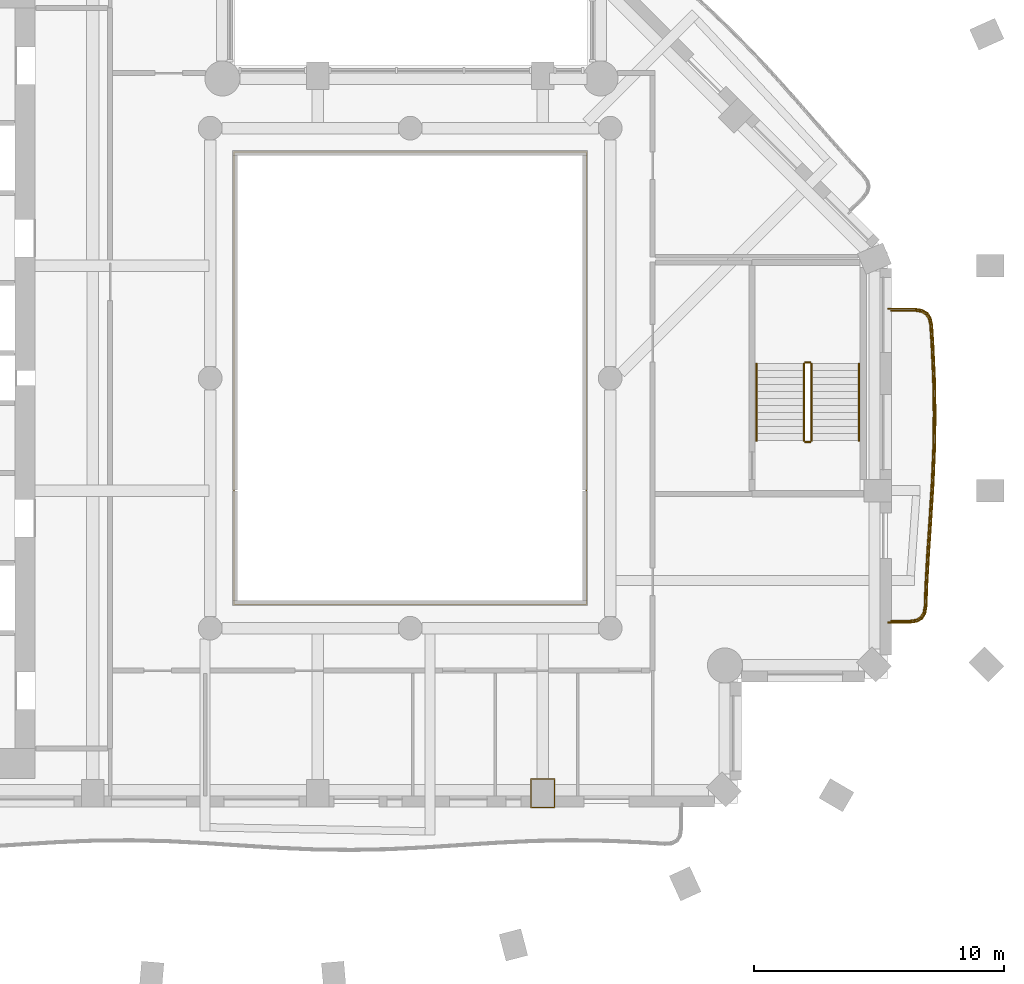
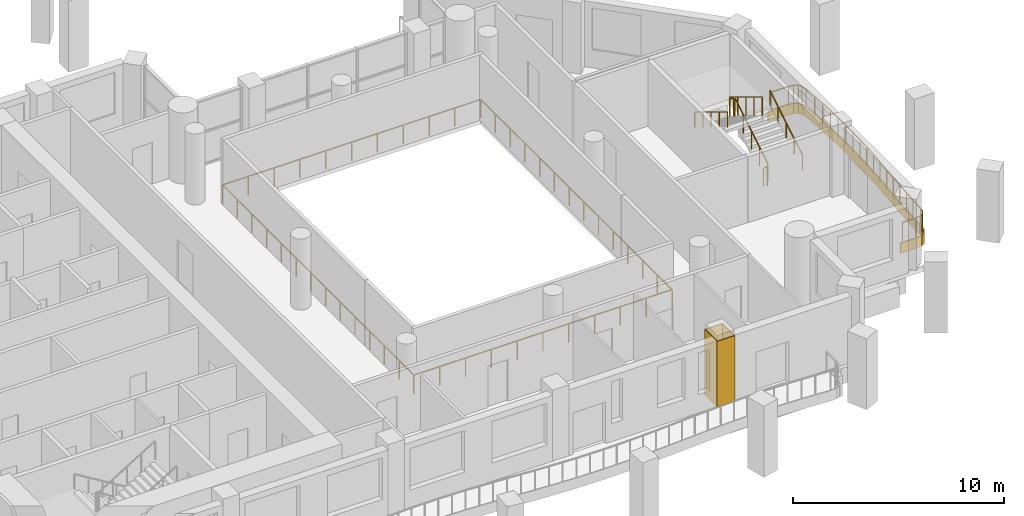
# One storey, part 11 of 13: 8 railings, 2 coverings.
"""IFC4 building model written with IfcOpenShell, lengths in metres."""

from ifc_helpers import new_model, si_unit, direction, frame, origin, origin_2d, place, context, subcontext, project, spatial, polyline, rectangle, outline, extrude, material, layer, layer_set, type_object, element, save


model = new_model("IFC4")

# Units and contexts
model_context = context("Model", 3, precision=1e-05, world=origin(), true_north=direction((0.0, 1.0)))
body_context = subcontext(model_context, "Body", "Model", "MODEL_VIEW")
ifc_project = project(units=[si_unit("LENGTHUNIT", "METRE"), si_unit("AREAUNIT", "SQUARE_METRE"), si_unit("VOLUMEUNIT", "CUBIC_METRE"), si_unit("PLANEANGLEUNIT", "RADIAN"), si_unit("MASSUNIT", "GRAM", prefix="KILO")], contexts=[model_context])

# Site, building, storey
site_placement = place(None, origin())
site = spatial("IfcSite", under=ifc_project, at=site_placement, CompositionType="ELEMENT")
building_placement = place(site_placement, origin())
building = spatial("IfcBuilding", under=site, at=building_placement, Name="Cypress Arch Tower", CompositionType="ELEMENT")
storey_placement = place(building_placement, frame((0.0, 0.0, 209.699951171875)))
storey = spatial("IfcBuildingStorey", under=building, at=storey_placement, Name="L46", CompositionType="ELEMENT", Elevation=209.699951171875)

# Railing
ifc_material_1 = material(Name="Stainless steel posts and handrail, laminated glass infill", Category="steel")
railing_type_1 = type_object("IfcRailingType", Name="Atrium guard GR1100A", PredefinedType="GUARDRAIL", material=ifc_material_1)
railing_1_placement = place(storey_placement, frame((8.050048828125, -9.050048828125, 0.0)))
element("IfcRailing", 1, at=railing_1_placement, inside=storey, type_object=railing_type_1, Name="Atrium guard L46", PredefinedType="GUARDRAIL", context=body_context, shape_type="SweptSolid", body=[
    extrude(rectangle(XDim=0.050048828125, YDim=0.050048828125, at=origin_2d()), frame((0.0, 0.0, 1.0751953125), z_axis=(-1.0, 0.0, 0.0), x_axis=(0.0, -1.0, 0.0)), (0.0, 0.0, 1.0), 14.10009765625),
    extrude(rectangle(XDim=0.050048828125, YDim=0.050048828125, at=origin_2d()), frame((-14.10009765625, 0.0, 1.0751953125), z_axis=(0.0, 1.0, 0.0), x_axis=(-1.0, 0.0, 0.0)), (0.0, 0.0, 1.0), 18.10009765625),
    extrude(rectangle(XDim=0.050048828125, YDim=0.050048828125, at=origin_2d()), frame((-14.10009765625, 18.10009765625, 1.0751953125), z_axis=(1.0, 0.0, 0.0), x_axis=(0.0, 1.0, 0.0)), (0.0, 0.0, 1.0), 14.10009765625),
    extrude(rectangle(XDim=0.050048828125, YDim=0.050048828125, at=origin_2d()), frame((0.0, 18.10009765625, 1.0751953125), z_axis=(0.0, -1.0, 0.0), x_axis=(1.0, 0.0, 0.0)), (0.0, 0.0, 1.0), 18.10009765625),
    extrude(rectangle(XDim=0.050048828125, YDim=0.050048828125, at=origin_2d()), origin(), (0.0, 0.0, 1.0), 1.050048828125),
    extrude(rectangle(XDim=0.050048828125, YDim=0.050048828125, at=origin_2d()), frame((-1.409912109375, 0.0, 0.0)), (0.0, 0.0, 1.0), 1.050048828125),
    extrude(rectangle(XDim=0.050048828125, YDim=0.050048828125, at=origin_2d()), frame((-2.820068359375, 0.0, 0.0)), (0.0, 0.0, 1.0), 1.050048828125),
    extrude(rectangle(XDim=0.050048828125, YDim=0.050048828125, at=origin_2d()), frame((-4.22998046875, 0.0, 0.0)), (0.0, 0.0, 1.0), 1.050048828125),
    extrude(rectangle(XDim=0.050048828125, YDim=0.050048828125, at=origin_2d()), frame((-5.64013671875, 0.0, 0.0)), (0.0, 0.0, 1.0), 1.050048828125),
    extrude(rectangle(XDim=0.050048828125, YDim=0.050048828125, at=origin_2d()), frame((-7.050048828125, 0.0, 0.0)), (0.0, 0.0, 1.0), 1.050048828125),
    extrude(rectangle(XDim=0.050048828125, YDim=0.050048828125, at=origin_2d()), frame((-8.4599609375, 0.0, 0.0)), (0.0, 0.0, 1.0), 1.050048828125),
    extrude(rectangle(XDim=0.050048828125, YDim=0.050048828125, at=origin_2d()), frame((-9.8701171875, 0.0, 0.0)), (0.0, 0.0, 1.0), 1.050048828125),
    extrude(rectangle(XDim=0.050048828125, YDim=0.050048828125, at=origin_2d()), frame((-11.280029296875, 0.0, 0.0)), (0.0, 0.0, 1.0), 1.050048828125),
    extrude(rectangle(XDim=0.050048828125, YDim=0.050048828125, at=origin_2d()), frame((-12.690185546875, 0.0, 0.0)), (0.0, 0.0, 1.0), 1.050048828125),
    extrude(rectangle(XDim=0.050048828125, YDim=0.050048828125, at=origin_2d()), frame((-14.10009765625, 0.0, 0.0)), (0.0, 0.0, 1.0), 1.050048828125),
    extrude(rectangle(XDim=0.050048828125, YDim=0.050048828125, at=origin_2d()), frame((-14.10009765625, 1.392333984375, 0.0)), (0.0, 0.0, 1.0), 1.050048828125),
    extrude(rectangle(XDim=0.050048828125, YDim=0.050048828125, at=origin_2d()), frame((-14.10009765625, 2.78466796875, 0.0)), (0.0, 0.0, 1.0), 1.050048828125),
    extrude(rectangle(XDim=0.050048828125, YDim=0.050048828125, at=origin_2d()), frame((-14.10009765625, 4.177001953125, 0.0)), (0.0, 0.0, 1.0), 1.050048828125),
    extrude(rectangle(XDim=0.050048828125, YDim=0.050048828125, at=origin_2d()), frame((-14.10009765625, 5.5693359375, 0.0)), (0.0, 0.0, 1.0), 1.050048828125),
    extrude(rectangle(XDim=0.050048828125, YDim=0.050048828125, at=origin_2d()), frame((-14.10009765625, 6.961669921875, 0.0)), (0.0, 0.0, 1.0), 1.050048828125),
    extrude(rectangle(XDim=0.050048828125, YDim=0.050048828125, at=origin_2d()), frame((-14.10009765625, 8.35400390625, 0.0)), (0.0, 0.0, 1.0), 1.050048828125),
    extrude(rectangle(XDim=0.050048828125, YDim=0.050048828125, at=origin_2d()), frame((-14.10009765625, 9.74609375, 0.0)), (0.0, 0.0, 1.0), 1.050048828125),
    extrude(rectangle(XDim=0.050048828125, YDim=0.050048828125, at=origin_2d()), frame((-14.10009765625, 11.138427734375, 0.0)), (0.0, 0.0, 1.0), 1.050048828125),
    extrude(rectangle(XDim=0.050048828125, YDim=0.050048828125, at=origin_2d()), frame((-14.10009765625, 12.53076171875, 0.0)), (0.0, 0.0, 1.0), 1.050048828125),
    extrude(rectangle(XDim=0.050048828125, YDim=0.050048828125, at=origin_2d()), frame((-14.10009765625, 13.923095703125, 0.0)), (0.0, 0.0, 1.0), 1.050048828125),
    extrude(rectangle(XDim=0.050048828125, YDim=0.050048828125, at=origin_2d()), frame((-14.10009765625, 15.3154296875, 0.0)), (0.0, 0.0, 1.0), 1.050048828125),
    extrude(rectangle(XDim=0.050048828125, YDim=0.050048828125, at=origin_2d()), frame((-14.10009765625, 16.707763671875, 0.0)), (0.0, 0.0, 1.0), 1.050048828125),
    extrude(rectangle(XDim=0.050048828125, YDim=0.050048828125, at=origin_2d()), frame((-14.10009765625, 18.10009765625, 0.0)), (0.0, 0.0, 1.0), 1.050048828125),
    extrude(rectangle(XDim=0.050048828125, YDim=0.050048828125, at=origin_2d()), frame((-12.690185546875, 18.10009765625, 0.0)), (0.0, 0.0, 1.0), 1.050048828125),
    extrude(rectangle(XDim=0.050048828125, YDim=0.050048828125, at=origin_2d()), frame((-11.280029296875, 18.10009765625, 0.0)), (0.0, 0.0, 1.0), 1.050048828125),
    extrude(rectangle(XDim=0.050048828125, YDim=0.050048828125, at=origin_2d()), frame((-9.8701171875, 18.10009765625, 0.0)), (0.0, 0.0, 1.0), 1.050048828125),
    extrude(rectangle(XDim=0.050048828125, YDim=0.050048828125, at=origin_2d()), frame((-8.4599609375, 18.10009765625, 0.0)), (0.0, 0.0, 1.0), 1.050048828125),
    extrude(rectangle(XDim=0.050048828125, YDim=0.050048828125, at=origin_2d()), frame((-7.050048828125, 18.10009765625, 0.0)), (0.0, 0.0, 1.0), 1.050048828125),
    extrude(rectangle(XDim=0.050048828125, YDim=0.050048828125, at=origin_2d()), frame((-5.64013671875, 18.10009765625, 0.0)), (0.0, 0.0, 1.0), 1.050048828125),
    extrude(rectangle(XDim=0.050048828125, YDim=0.050048828125, at=origin_2d()), frame((-4.22998046875, 18.10009765625, 0.0)), (0.0, 0.0, 1.0), 1.050048828125),
    extrude(rectangle(XDim=0.050048828125, YDim=0.050048828125, at=origin_2d()), frame((-2.820068359375, 18.10009765625, 0.0)), (0.0, 0.0, 1.0), 1.050048828125),
    extrude(rectangle(XDim=0.050048828125, YDim=0.050048828125, at=origin_2d()), frame((-1.409912109375, 18.10009765625, 0.0)), (0.0, 0.0, 1.0), 1.050048828125),
    extrude(rectangle(XDim=0.050048828125, YDim=0.050048828125, at=origin_2d()), frame((0.0, 18.10009765625, 0.0)), (0.0, 0.0, 1.0), 1.050048828125),
    extrude(rectangle(XDim=0.050048828125, YDim=0.050048828125, at=origin_2d()), frame((0.0, 16.707763671875, 0.0)), (0.0, 0.0, 1.0), 1.050048828125),
    extrude(rectangle(XDim=0.050048828125, YDim=0.050048828125, at=origin_2d()), frame((0.0, 15.3154296875, 0.0)), (0.0, 0.0, 1.0), 1.050048828125),
    extrude(rectangle(XDim=0.050048828125, YDim=0.050048828125, at=origin_2d()), frame((0.0, 13.923095703125, 0.0)), (0.0, 0.0, 1.0), 1.050048828125),
    extrude(rectangle(XDim=0.050048828125, YDim=0.050048828125, at=origin_2d()), frame((0.0, 12.53076171875, 0.0)), (0.0, 0.0, 1.0), 1.050048828125),
    extrude(rectangle(XDim=0.050048828125, YDim=0.050048828125, at=origin_2d()), frame((0.0, 11.138427734375, 0.0)), (0.0, 0.0, 1.0), 1.050048828125),
    extrude(rectangle(XDim=0.050048828125, YDim=0.050048828125, at=origin_2d()), frame((0.0, 9.74609375, 0.0)), (0.0, 0.0, 1.0), 1.050048828125),
    extrude(rectangle(XDim=0.050048828125, YDim=0.050048828125, at=origin_2d()), frame((0.0, 8.35400390625, 0.0)), (0.0, 0.0, 1.0), 1.050048828125),
    extrude(rectangle(XDim=0.050048828125, YDim=0.050048828125, at=origin_2d()), frame((0.0, 6.961669921875, 0.0)), (0.0, 0.0, 1.0), 1.050048828125),
    extrude(rectangle(XDim=0.050048828125, YDim=0.050048828125, at=origin_2d()), frame((0.0, 5.5693359375, 0.0)), (0.0, 0.0, 1.0), 1.050048828125),
    extrude(rectangle(XDim=0.050048828125, YDim=0.050048828125, at=origin_2d()), frame((0.0, 4.177001953125, 0.0)), (0.0, 0.0, 1.0), 1.050048828125),
    extrude(rectangle(XDim=0.050048828125, YDim=0.050048828125, at=origin_2d()), frame((0.0, 2.78466796875, 0.0)), (0.0, 0.0, 1.0), 1.050048828125),
    extrude(rectangle(XDim=0.050048828125, YDim=0.050048828125, at=origin_2d()), frame((0.0, 1.392333984375, 0.0)), (0.0, 0.0, 1.0), 1.050048828125),
])

# Covering
ifc_material_2 = material(Name="White powder-coated aluminium fascia", Category="aluminium")
ifc_layer_1 = layer(ifc_material_2, 0.050048828125)
ifc_layer_set_1 = layer_set([ifc_layer_1], Name="Balcony fascia BF50")
covering_type_1 = type_object("IfcCoveringType", Name="Balcony fascia BF50", PredefinedType="CLADDING", material=ifc_layer_set_1)
covering_1_placement = place(storey_placement, frame((0.0, 0.0, -0.599853515625)))
element("IfcCovering", 2, at=covering_1_placement, inside=storey, type_object=covering_type_1, Name="Balcony fascia L46-B04", PredefinedType="CLADDING", context=body_context, shape_type="SweptSolid", body=[
    extrude(outline(polyline([(21.187744140625, 2.800048828125), (21.477294921875, 2.759033203125), (21.698974609375, 2.631103515625), (21.840576171875, 2.41796875), (21.899658203125, 2.131591796875), (21.948486328125, 1.36376953125), (22.01220703125, -0.026123046875), (22.037109375, -1.41650390625), (22.017578125, -2.806884765625), (21.957763671875, -4.197021484375), (21.87158203125, -5.58642578125), (21.779052734375, -6.975341796875), (21.701416015625, -8.36328125), (21.6767578125, -9.130126953125), (21.62646484375, -9.416748046875), (21.4912109375, -9.630615234375), (21.27294921875, -9.759033203125), (20.98486328125, -9.800048828125), (20.10107421875, -9.800048828125), (20.10107421875, -9.75), (20.981201171875, -9.75), (21.256103515625, -9.7109375), (21.455322265625, -9.59375), (21.578857421875, -9.3984375), (21.626708984375, -9.125), (21.651611328125, -8.361083984375), (21.729248046875, -6.97216796875), (21.82177734375, -5.583251953125), (21.90771484375, -4.1943359375), (21.967529296875, -2.8056640625), (21.987060546875, -1.416748046875), (21.962158203125, -0.02783203125), (21.8984375, 1.361083984375), (21.85009765625, 2.125), (21.793701171875, 2.3984375), (21.663818359375, 2.59375), (21.460693359375, 2.7109375), (21.184326171875, 2.75), (20.10107421875, 2.75), (20.10107421875, 2.800048828125), (21.187744140625, 2.800048828125)])), origin(), (0.0, 0.0, 1.0), 0.599853515625),
])

# Railing
ifc_material_3 = material(Name="Powder-coated steel posts and rods, 100 mm clear between rods", Category="steel")
railing_type_2 = type_object("IfcRailingType", Name="Balcony guard GR1100", PredefinedType="GUARDRAIL", material=ifc_material_3)
railing_2_placement = place(storey_placement, frame((20.25, 2.699951171875, 0.0)))
element("IfcRailing", 3, at=railing_2_placement, inside=storey, type_object=railing_type_2, Name="Balcony guard L46-B04", PredefinedType="GUARDRAIL", context=body_context, shape_type="SweptSolid", body=[
    extrude(rectangle(XDim=0.050048828125, YDim=0.050048828125, at=origin_2d()), frame((0.0, 0.0, 1.0751953125), z_axis=(1.0, 0.0, 0.0), x_axis=(0.0, 1.0, 0.0)), (0.0, 0.0, 1.0), 0.9306640625),
    extrude(rectangle(XDim=0.050048828125, YDim=0.050048828125, at=origin_2d()), frame((0.9306640625, 0.0, 1.0751953125), z_axis=(0.99022293457, -0.139493870301, 0.0), x_axis=(0.139493870301, 0.99022293457, 0.0)), (0.0, 0.0, 1.0), 0.26611328125),
    extrude(rectangle(XDim=0.050048828125, YDim=0.050048828125, at=origin_2d()), frame((1.194091796875, -0.037109375, 1.0751953125), z_axis=(0.866261881104, -0.499590185398, 0.0), x_axis=(0.499590185398, 0.866261881104, 0.0)), (0.0, 0.0, 1.0), 0.213134765625),
    extrude(rectangle(XDim=0.050048828125, YDim=0.050048828125, at=origin_2d()), frame((1.378662109375, -0.1435546875, 1.0751953125), z_axis=(0.553377523996, -0.832930558892, 0.0), x_axis=(0.832930558892, 0.553377523996, 0.0)), (0.0, 0.0, 1.0), 0.213134765625),
    extrude(rectangle(XDim=0.050048828125, YDim=0.050048828125, at=origin_2d()), frame((1.49658203125, -0.321044921875, 1.0751953125), z_axis=(0.201937803647, -0.97939834769, 0.0), x_axis=(0.97939834769, 0.201937803647, 0.0)), (0.0, 0.0, 1.0), 0.265869140625),
    extrude(rectangle(XDim=0.050048828125, YDim=0.050048828125, at=origin_2d()), frame((1.55029296875, -0.58154296875, 1.0751953125), z_axis=(0.063475973871, -0.997983366966, 0.0), x_axis=(0.997983366966, 0.063475973871, 0.0)), (0.0, 0.0, 1.0), 0.761474609375),
    extrude(rectangle(XDim=0.050048828125, YDim=0.050048828125, at=origin_2d()), frame((1.5986328125, -1.341552734375, 1.0751953125), z_axis=(0.045870034408, -0.998947416005, 0.0), x_axis=(0.998947416005, 0.045870034408, 0.0)), (0.0, 0.0, 1.0), 1.38916015625),
    extrude(rectangle(XDim=0.050048828125, YDim=0.050048828125, at=origin_2d()), frame((1.662353515625, -2.729248046875, 1.0751953125), z_axis=(0.017945376529, -0.999838968765, 0.0), x_axis=(0.999838968765, 0.017945376529, 0.0)), (0.0, 0.0, 1.0), 1.3876953125),
    extrude(rectangle(XDim=0.050048828125, YDim=0.050048828125, at=origin_2d()), frame((1.687255859375, -4.11669921875, 1.0751953125), z_axis=(-0.014251587844, -0.999898440965, 0.0), x_axis=(0.999898440965, -0.014251587844, 0.0)), (0.0, 0.0, 1.0), 1.3876953125),
    extrude(rectangle(XDim=0.050048828125, YDim=0.050048828125, at=origin_2d()), frame((1.66748046875, -5.504150390625, 1.0751953125), z_axis=(-0.042888017611, -0.999079885667, 0.0), x_axis=(0.999079885667, -0.042888017611, 0.0)), (0.0, 0.0, 1.0), 1.388916015625),
    extrude(rectangle(XDim=0.050048828125, YDim=0.050048828125, at=origin_2d()), frame((1.60791015625, -6.891845703125, 1.0751953125), z_axis=(-0.061963012936, -0.99807844633, 0.0), x_axis=(0.99807844633, -0.061963012936, 0.0)), (0.0, 0.0, 1.0), 1.390869140625),
    extrude(rectangle(XDim=0.050048828125, YDim=0.050048828125, at=origin_2d()), frame((1.521728515625, -8.280029296875, 1.0751953125), z_axis=(-0.066460816267, -0.997789035769, 0.0), x_axis=(0.997789035769, -0.066460816267, 0.0)), (0.0, 0.0, 1.0), 1.392333984375),
    extrude(rectangle(XDim=0.050048828125, YDim=0.050048828125, at=origin_2d()), frame((1.42919921875, -9.669189453125, 1.0751953125), z_axis=(-0.055780900326, -0.998443033507, 0.0), x_axis=(0.998443033507, -0.055780900326, 0.0)), (0.0, 0.0, 1.0), 1.391845703125),
    extrude(rectangle(XDim=0.050048828125, YDim=0.050048828125, at=origin_2d()), frame((1.3515625, -11.058837890625, 1.0751953125), z_axis=(-0.03238595418, -0.999475437403, 0.0), x_axis=(0.999475437403, -0.03238595418, 0.0)), (0.0, 0.0, 1.0), 0.761474609375),
    extrude(rectangle(XDim=0.050048828125, YDim=0.050048828125, at=origin_2d()), frame((1.326904296875, -11.81982421875, 1.0751953125), z_axis=(-0.172783751887, -0.984959783485, 0.0), x_axis=(0.984959783485, -0.172783751887, 0.0)), (0.0, 0.0, 1.0), 0.26416015625),
    extrude(rectangle(XDim=0.050048828125, YDim=0.050048828125, at=origin_2d()), frame((1.28125, -12.080078125, 1.0751953125), z_axis=(-0.534607687175, -0.845100361385, 0.0), x_axis=(0.845100361385, -0.534607687175, 0.0)), (0.0, 0.0, 1.0), 0.209228515625),
    extrude(rectangle(XDim=0.050048828125, YDim=0.050048828125, at=origin_2d()), frame((1.16943359375, -12.2568359375, 1.0751953125), z_axis=(-0.861994261241, -0.506918034388, 0.0), x_axis=(0.506918034388, -0.861994261241, 0.0)), (0.0, 0.0, 1.0), 0.208984375),
    extrude(rectangle(XDim=0.050048828125, YDim=0.050048828125, at=origin_2d()), frame((0.9892578125, -12.36279296875, 1.0751953125), z_axis=(-0.990078501145, -0.140515342833, 0.0), x_axis=(0.140515342833, -0.990078501145, 0.0)), (0.0, 0.0, 1.0), 0.26416015625),
    extrude(rectangle(XDim=0.050048828125, YDim=0.050048828125, at=origin_2d()), frame((0.727783203125, -12.39990234375, 1.0751953125), z_axis=(-1.0, 0.0, 0.0), x_axis=(0.0, -1.0, 0.0)), (0.0, 0.0, 1.0), 0.727783203125),
    extrude(rectangle(XDim=0.0400390625, YDim=0.0400390625, at=origin_2d()), origin(), (0.0, 0.0, 1.0), 1.050048828125),
    extrude(rectangle(XDim=0.0400390625, YDim=0.0400390625, at=origin_2d()), frame((0.9306640625, 0.0, 0.0)), (0.0, 0.0, 1.0), 1.050048828125),
    extrude(rectangle(XDim=0.0400390625, YDim=0.0400390625, at=origin_2d()), frame((1.194091796875, -0.037109375, 0.0)), (0.0, 0.0, 1.0), 1.050048828125),
    extrude(rectangle(XDim=0.0400390625, YDim=0.0400390625, at=origin_2d()), frame((1.378662109375, -0.1435546875, 0.0)), (0.0, 0.0, 1.0), 1.050048828125),
    extrude(rectangle(XDim=0.0400390625, YDim=0.0400390625, at=origin_2d()), frame((1.49658203125, -0.321044921875, 0.0)), (0.0, 0.0, 1.0), 1.050048828125),
    extrude(rectangle(XDim=0.0400390625, YDim=0.0400390625, at=origin_2d()), frame((1.55029296875, -0.58154296875, 0.0)), (0.0, 0.0, 1.0), 1.050048828125),
    extrude(rectangle(XDim=0.0400390625, YDim=0.0400390625, at=origin_2d()), frame((1.5986328125, -1.341552734375, 0.0)), (0.0, 0.0, 1.0), 1.050048828125),
    extrude(rectangle(XDim=0.0400390625, YDim=0.0400390625, at=origin_2d()), frame((1.63037109375, -2.035400390625, 0.0)), (0.0, 0.0, 1.0), 1.050048828125),
    extrude(rectangle(XDim=0.0400390625, YDim=0.0400390625, at=origin_2d()), frame((1.662353515625, -2.729248046875, 0.0)), (0.0, 0.0, 1.0), 1.050048828125),
    extrude(rectangle(XDim=0.0400390625, YDim=0.0400390625, at=origin_2d()), frame((1.6748046875, -3.4228515625, 0.0)), (0.0, 0.0, 1.0), 1.050048828125),
    extrude(rectangle(XDim=0.0400390625, YDim=0.0400390625, at=origin_2d()), frame((1.687255859375, -4.11669921875, 0.0)), (0.0, 0.0, 1.0), 1.050048828125),
    extrude(rectangle(XDim=0.0400390625, YDim=0.0400390625, at=origin_2d()), frame((1.67724609375, -4.810546875, 0.0)), (0.0, 0.0, 1.0), 1.050048828125),
    extrude(rectangle(XDim=0.0400390625, YDim=0.0400390625, at=origin_2d()), frame((1.66748046875, -5.504150390625, 0.0)), (0.0, 0.0, 1.0), 1.050048828125),
    extrude(rectangle(XDim=0.0400390625, YDim=0.0400390625, at=origin_2d()), frame((1.6376953125, -6.197998046875, 0.0)), (0.0, 0.0, 1.0), 1.050048828125),
    extrude(rectangle(XDim=0.0400390625, YDim=0.0400390625, at=origin_2d()), frame((1.60791015625, -6.891845703125, 0.0)), (0.0, 0.0, 1.0), 1.050048828125),
    extrude(rectangle(XDim=0.0400390625, YDim=0.0400390625, at=origin_2d()), frame((1.56494140625, -7.5859375, 0.0)), (0.0, 0.0, 1.0), 1.050048828125),
    extrude(rectangle(XDim=0.0400390625, YDim=0.0400390625, at=origin_2d()), frame((1.521728515625, -8.280029296875, 0.0)), (0.0, 0.0, 1.0), 1.050048828125),
    extrude(rectangle(XDim=0.0400390625, YDim=0.0400390625, at=origin_2d()), frame((1.4755859375, -8.974609375, 0.0)), (0.0, 0.0, 1.0), 1.050048828125),
    extrude(rectangle(XDim=0.0400390625, YDim=0.0400390625, at=origin_2d()), frame((1.42919921875, -9.669189453125, 0.0)), (0.0, 0.0, 1.0), 1.050048828125),
    extrude(rectangle(XDim=0.0400390625, YDim=0.0400390625, at=origin_2d()), frame((1.390380859375, -10.364013671875, 0.0)), (0.0, 0.0, 1.0), 1.050048828125),
    extrude(rectangle(XDim=0.0400390625, YDim=0.0400390625, at=origin_2d()), frame((1.3515625, -11.058837890625, 0.0)), (0.0, 0.0, 1.0), 1.050048828125),
    extrude(rectangle(XDim=0.0400390625, YDim=0.0400390625, at=origin_2d()), frame((1.326904296875, -11.81982421875, 0.0)), (0.0, 0.0, 1.0), 1.050048828125),
    extrude(rectangle(XDim=0.0400390625, YDim=0.0400390625, at=origin_2d()), frame((1.28125, -12.080078125, 0.0)), (0.0, 0.0, 1.0), 1.050048828125),
    extrude(rectangle(XDim=0.0400390625, YDim=0.0400390625, at=origin_2d()), frame((1.16943359375, -12.2568359375, 0.0)), (0.0, 0.0, 1.0), 1.050048828125),
    extrude(rectangle(XDim=0.0400390625, YDim=0.0400390625, at=origin_2d()), frame((0.9892578125, -12.36279296875, 0.0)), (0.0, 0.0, 1.0), 1.050048828125),
    extrude(rectangle(XDim=0.0400390625, YDim=0.0400390625, at=origin_2d()), frame((0.727783203125, -12.39990234375, 0.0)), (0.0, 0.0, 1.0), 1.050048828125),
    extrude(rectangle(XDim=0.0400390625, YDim=0.0400390625, at=origin_2d()), frame((0.0, -12.39990234375, 0.0)), (0.0, 0.0, 1.0), 1.050048828125),
])

# Covering
ifc_material_4 = material(Name="Painted plasterboard column casing")
ifc_layer_2 = layer(ifc_material_4, 0.0400390625)
ifc_layer_set_2 = layer_set([ifc_layer_2], Name="Column casing CK40")
covering_type_2 = type_object("IfcCoveringType", Name="Column casing CK40", PredefinedType="CLADDING", material=ifc_layer_set_2)
covering_2_placement = place(storey_placement, origin())
element("IfcCovering", 4, at=covering_2_placement, inside=storey, type_object=covering_type_2, Name="Column casing L46 CB05", PredefinedType="CLADDING", context=body_context, shape_type="SweptSolid", body=[
    extrude(outline(polyline([(5.81005859375, -17.18994140625), (5.81005859375, -16.010009765625), (6.7900390625, -16.010009765625), (6.7900390625, -17.18994140625), (5.81005859375, -17.18994140625)]), holes=[polyline([(5.85009765625, -17.14990234375), (6.75, -17.14990234375), (6.75, -16.050048828125), (5.85009765625, -16.050048828125), (5.85009765625, -17.14990234375)])]), origin(), (0.0, 0.0, 1.0), 3.800048828125),
])

# Railings
ifc_material_5 = material(Name="Black powder-coated steel square bar 48 mm", Category="steel")
railing_type_3 = type_object("IfcRailingType", Name="Stair handrail HR1", PredefinedType="HANDRAIL", material=ifc_material_5)
railing_3_placement = place(storey_placement, frame((18.949951171875, -2.5, 0.1708984375)))
element("IfcRailing", 5, at=railing_3_placement, inside=storey, type_object=railing_type_3, Name="L46 C stair handrail 1", PredefinedType="HANDRAIL", context=body_context, shape_type="SweptSolid", body=[
    extrude(rectangle(XDim=0.048095703125, YDim=0.048095703125, at=origin_2d()), frame((0.0, 0.0, 0.8759765625), z_axis=(0.0, 0.853666305674, 0.52082035152), x_axis=(-1.0, 0.0, 0.0)), (0.0, 0.0, 1.0), 3.608154296875),
    extrude(rectangle(XDim=0.0419921875, YDim=0.0419921875, at=origin_2d()), origin(), (0.0, 0.0, 1.0), 0.851806640625),
    extrude(rectangle(XDim=0.0419921875, YDim=0.0419921875, at=origin_2d()), frame((0.0, 0.77001953125, 0.4697265625)), (0.0, 0.0, 1.0), 0.851806640625),
    extrude(rectangle(XDim=0.0419921875, YDim=0.0419921875, at=origin_2d()), frame((0.0, 1.5400390625, 0.939453125)), (0.0, 0.0, 1.0), 0.851806640625),
    extrude(rectangle(XDim=0.0419921875, YDim=0.0419921875, at=origin_2d()), frame((0.0, 2.31005859375, 1.409423828125)), (0.0, 0.0, 1.0), 0.851806640625),
    extrude(rectangle(XDim=0.0419921875, YDim=0.0419921875, at=origin_2d()), frame((0.0, 3.080078125, 1.879150390625)), (0.0, 0.0, 1.0), 0.851806640625),
])
railing_4_placement = place(storey_placement, frame((14.85009765625, 0.580078125, 2.220947265625)))
element("IfcRailing", 6, at=railing_4_placement, inside=storey, type_object=railing_type_3, Name="L46 C stair handrail 2", PredefinedType="HANDRAIL", context=body_context, shape_type="SweptSolid", body=[
    extrude(rectangle(XDim=0.048095703125, YDim=0.048095703125, at=origin_2d()), frame((0.0, 0.0, 0.8759765625), z_axis=(0.0, -0.853666305674, 0.52082035152), x_axis=(1.0, 0.0, 0.0)), (0.0, 0.0, 1.0), 3.608154296875),
    extrude(rectangle(XDim=0.0419921875, YDim=0.0419921875, at=origin_2d()), origin(), (0.0, 0.0, 1.0), 0.851806640625),
    extrude(rectangle(XDim=0.0419921875, YDim=0.0419921875, at=origin_2d()), frame((0.0, -0.77001953125, 0.4697265625)), (0.0, 0.0, 1.0), 0.851806640625),
    extrude(rectangle(XDim=0.0419921875, YDim=0.0419921875, at=origin_2d()), frame((0.0, -1.5400390625, 0.939453125)), (0.0, 0.0, 1.0), 0.851806640625),
    extrude(rectangle(XDim=0.0419921875, YDim=0.0419921875, at=origin_2d()), frame((0.0, -2.31005859375, 1.409423828125)), (0.0, 0.0, 1.0), 0.851806640625),
    extrude(rectangle(XDim=0.0419921875, YDim=0.0419921875, at=origin_2d()), frame((0.0, -3.080078125, 1.879150390625)), (0.0, 0.0, 1.0), 0.851806640625),
])
ifc_material_6 = material(Name="Black powder-coated steel balusters", Category="steel")
railing_type_4 = type_object("IfcRailingType", Name="Stair well guard G1", PredefinedType="GUARDRAIL", material=ifc_material_6)
railing_5_placement = place(storey_placement, frame((17.050048828125, -2.5, 0.1708984375)))
element("IfcRailing", 7, at=railing_5_placement, inside=storey, type_object=railing_type_4, Name="L46 C stair guard 1", PredefinedType="GUARDRAIL", context=body_context, shape_type="SweptSolid", body=[
    extrude(rectangle(XDim=0.048095703125, YDim=0.048095703125, at=origin_2d()), frame((0.0, 0.0, 1.076171875), z_axis=(0.0, 0.853666305674, 0.52082035152), x_axis=(-1.0, 0.0, 0.0)), (0.0, 0.0, 1.0), 3.608154296875),
    extrude(rectangle(XDim=0.0419921875, YDim=0.0419921875, at=origin_2d()), origin(), (0.0, 0.0, 1.0), 1.052001953125),
    extrude(rectangle(XDim=0.0419921875, YDim=0.0419921875, at=origin_2d()), frame((0.0, 0.77001953125, 0.4697265625)), (0.0, 0.0, 1.0), 1.052001953125),
    extrude(rectangle(XDim=0.0419921875, YDim=0.0419921875, at=origin_2d()), frame((0.0, 1.5400390625, 0.939453125)), (0.0, 0.0, 1.0), 1.052001953125),
    extrude(rectangle(XDim=0.0419921875, YDim=0.0419921875, at=origin_2d()), frame((0.0, 2.31005859375, 1.409423828125)), (0.0, 0.0, 1.0), 1.052001953125),
    extrude(rectangle(XDim=0.0419921875, YDim=0.0419921875, at=origin_2d()), frame((0.0, 3.080078125, 1.879150390625)), (0.0, 0.0, 1.0), 1.052001953125),
])
railing_6_placement = place(storey_placement, frame((17.0, 0.6298828125, 2.050048828125)))
element("IfcRailing", 8, at=railing_6_placement, inside=storey, type_object=railing_type_4, Name="L46 C stair guard 2", PredefinedType="GUARDRAIL", context=body_context, shape_type="SweptSolid", body=[
    extrude(rectangle(XDim=0.048095703125, YDim=0.048095703125, at=origin_2d()), frame((0.0, 0.0, 1.076171875), z_axis=(-1.0, 0.0, 0.0), x_axis=(0.0, -1.0, 0.0)), (0.0, 0.0, 1.0), 0.199951171875),
    extrude(rectangle(XDim=0.0419921875, YDim=0.0419921875, at=origin_2d()), origin(), (0.0, 0.0, 1.0), 1.052001953125),
    extrude(rectangle(XDim=0.0419921875, YDim=0.0419921875, at=origin_2d()), frame((-0.199951171875, 0.0, 0.0)), (0.0, 0.0, 1.0), 1.052001953125),
])
railing_7_placement = place(storey_placement, frame((16.75, 0.580078125, 2.220947265625)))
element("IfcRailing", 9, at=railing_7_placement, inside=storey, type_object=railing_type_4, Name="L46 C stair guard 3", PredefinedType="GUARDRAIL", context=body_context, shape_type="SweptSolid", body=[
    extrude(rectangle(XDim=0.048095703125, YDim=0.048095703125, at=origin_2d()), frame((0.0, 0.0, 1.076171875), z_axis=(0.0, -0.853666305674, 0.52082035152), x_axis=(1.0, 0.0, 0.0)), (0.0, 0.0, 1.0), 3.608154296875),
    extrude(rectangle(XDim=0.0419921875, YDim=0.0419921875, at=origin_2d()), origin(), (0.0, 0.0, 1.0), 1.052001953125),
    extrude(rectangle(XDim=0.0419921875, YDim=0.0419921875, at=origin_2d()), frame((0.0, -0.77001953125, 0.4697265625)), (0.0, 0.0, 1.0), 1.052001953125),
    extrude(rectangle(XDim=0.0419921875, YDim=0.0419921875, at=origin_2d()), frame((0.0, -1.5400390625, 0.939453125)), (0.0, 0.0, 1.0), 1.052001953125),
    extrude(rectangle(XDim=0.0419921875, YDim=0.0419921875, at=origin_2d()), frame((0.0, -2.31005859375, 1.409423828125)), (0.0, 0.0, 1.0), 1.052001953125),
    extrude(rectangle(XDim=0.0419921875, YDim=0.0419921875, at=origin_2d()), frame((0.0, -3.080078125, 1.879150390625)), (0.0, 0.0, 1.0), 1.052001953125),
])
railing_8_placement = place(storey_placement, frame((17.0, -2.550048828125, 0.0)))
element("IfcRailing", 10, at=railing_8_placement, inside=storey, type_object=railing_type_4, Name="L46 C stair guard 4", PredefinedType="GUARDRAIL", context=body_context, shape_type="SweptSolid", body=[
    extrude(rectangle(XDim=0.048095703125, YDim=0.048095703125, at=origin_2d()), frame((0.0, 0.0, 1.076171875), z_axis=(-1.0, 0.0, 0.0), x_axis=(0.0, -1.0, 0.0)), (0.0, 0.0, 1.0), 0.199951171875),
    extrude(rectangle(XDim=0.0419921875, YDim=0.0419921875, at=origin_2d()), origin(), (0.0, 0.0, 1.0), 1.052001953125),
    extrude(rectangle(XDim=0.0419921875, YDim=0.0419921875, at=origin_2d()), frame((-0.199951171875, 0.0, 0.0)), (0.0, 0.0, 1.0), 1.052001953125),
])

save(model, "model.ifc")
